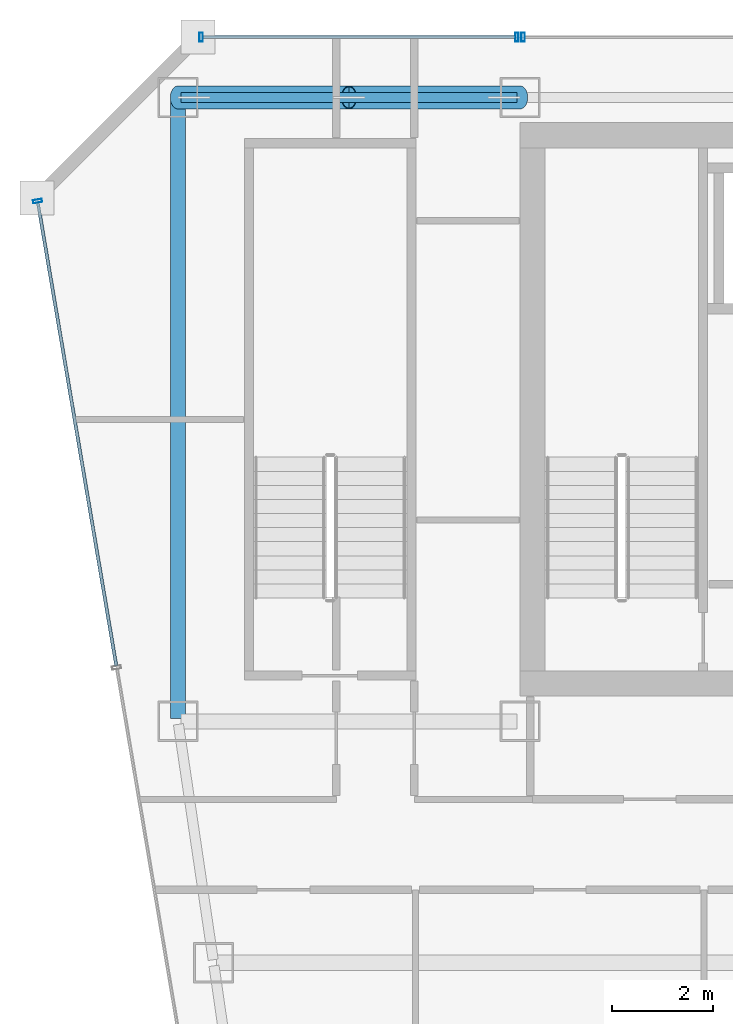
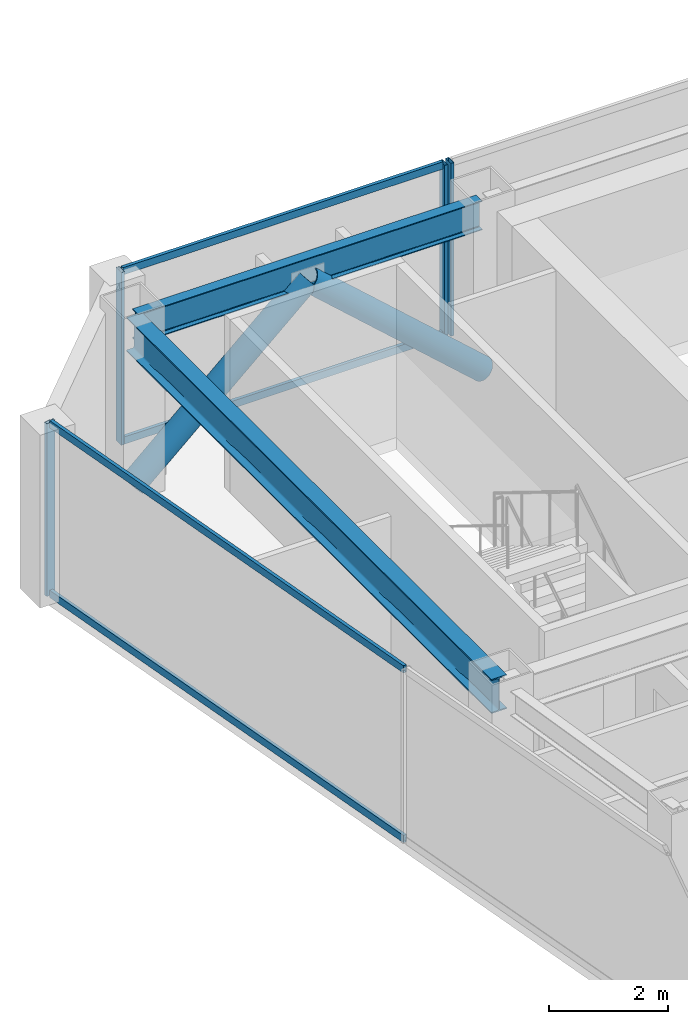
# One storey, part 23 of 36: 10 members, 2 beams, 3 elements without a shape of their own.
"""IFC4 building model written with IfcOpenShell, lengths in metres."""

from ifc_helpers import new_model, si_unit, direction, frame, origin, origin_2d, place, context, subcontext, project, spatial, hollow_rectangle, hollow_circle, i_section, extrude, material, material_profile, profile_set, type_object, element, aggregate, save


model = new_model("IFC4")

# Units and contexts
model_context = context("Model", 3, precision=1e-05, world=origin(), true_north=direction((0.0, 1.0)))
body_context = subcontext(model_context, "Body", "Model", "MODEL_VIEW")
ifc_project = project(units=[si_unit("LENGTHUNIT", "METRE"), si_unit("AREAUNIT", "SQUARE_METRE"), si_unit("VOLUMEUNIT", "CUBIC_METRE"), si_unit("PLANEANGLEUNIT", "RADIAN"), si_unit("MASSUNIT", "GRAM", prefix="KILO")], contexts=[model_context])

# Site, building, storey
site_placement = place(None, origin())
site = spatial("IfcSite", under=ifc_project, at=site_placement, CompositionType="ELEMENT")
building_placement = place(site_placement, origin())
building = spatial("IfcBuilding", under=site, at=building_placement, Name="Saevonmaru Cultural Tower", CompositionType="ELEMENT")
storey_placement = place(building_placement, frame((0.0, 0.0, 205.60009765625)))
storey = spatial("IfcBuildingStorey", under=building, at=storey_placement, Name="L47", CompositionType="ELEMENT", Elevation=205.60009765625)

# Beams
ifc_material_1 = material(Name="Steel SM355", Category="steel")
ifc_material_profile_1 = material_profile(ifc_material_1, i_section(OverallWidth=0.300048828125, OverallDepth=0.699951171875, WebThickness=0.012939453125, FlangeThickness=0.02392578125, FilletRadius=0.02587890625, at=origin_2d()), Name="H-700x300x13x24")
ifc_profile_set_1 = profile_set([ifc_material_profile_1], Name="Steel SM355")
beam_type_1 = type_object("IfcBeamType", Name="BM-G-H700", PredefinedType="BEAM", material=ifc_profile_set_1)
beam_1_placement = place(storey_placement, frame((6.800048828125, 54.739990234375, 3.199951171875), z_axis=(0.0, -1.0, 0.0), x_axis=(1.0, 0.0, 0.0)))
element("IfcBeam", 1, at=beam_1_placement, inside=storey, type_object=beam_type_1, Name="L47 Spine Transverse Girder W", PredefinedType="BEAM", context=body_context, shape_type="SweptSolid", body=[
    extrude(i_section(OverallWidth=0.300048828125, OverallDepth=0.699951171875, WebThickness=0.012939453125, FlangeThickness=0.02392578125, FilletRadius=0.02587890625, at=origin_2d()), origin(), (0.0, 0.0, 1.0), 12.280029296875),
])
ifc_material_profile_2 = material_profile(ifc_material_1, i_section(OverallWidth=0.199951171875, OverallDepth=0.60009765625, WebThickness=0.010986328125, FlangeThickness=0.01708984375, FilletRadius=0.02197265625, at=origin_2d()), Name="H-600x200x11x17")
ifc_profile_set_2 = profile_set([ifc_material_profile_2], Name="Steel SM355")
beam_type_2 = type_object("IfcBeamType", Name="BM-SP-H600", PredefinedType="SPANDREL", material=ifc_profile_set_2)
beam_2_placement = place(storey_placement, frame((6.860107421875, 54.800048828125, 3.25), z_axis=(1.0, 0.0, 0.0), x_axis=(0.0, 1.0, 0.0)))
element("IfcBeam", 2, at=beam_2_placement, inside=storey, type_object=beam_type_2, Name="L47 North Spine Girder 1", PredefinedType="SPANDREL", context=body_context, shape_type="SweptSolid", body=[
    extrude(i_section(OverallWidth=0.199951171875, OverallDepth=0.60009765625, WebThickness=0.010986328125, FlangeThickness=0.01708984375, FilletRadius=0.02197265625, at=origin_2d()), origin(), (0.0, 0.0, 1.0), 6.679931640625),
])

# Members
ifc_material_2 = material(Name="Steel SM420", Category="steel")
ifc_material_profile_3 = material_profile(ifc_material_2, hollow_circle(Radius=0.228515625, WallThickness=0.02001953125, at=origin_2d()), Name="CHS-457.2x20")
ifc_profile_set_3 = profile_set([ifc_material_profile_3], Name="Steel SM420")
member_type_1 = type_object("IfcMemberType", Name="MB-PBR-CHS457", PredefinedType="BRACE", material=ifc_profile_set_3)
member_1_placement = place(storey_placement, frame((6.800048828125, 54.800048828125, 0.02001953125), z_axis=(0.744393515062, 0.0, 0.667741188436), x_axis=(0.0, 1.0, 0.0)))
element("IfcMember", 3, at=member_1_placement, inside=storey, type_object=member_type_1, Name="L47 Perimeter Braced-Tube Diagonal WN1", PredefinedType="BRACE", context=body_context, shape_type="SweptSolid", body=[
    extrude(hollow_circle(Radius=0.228515625, WallThickness=0.02001953125, at=origin_2d()), origin(), (0.0, 0.0, 1.0), 4.5673828125),
])
member_2_placement = place(storey_placement, frame((13.60009765625, 54.800048828125, 0.02001953125), z_axis=(-0.744417347397, 0.0, 0.66771461935), x_axis=(0.0, -1.0, 0.0)))
element("IfcMember", 4, at=member_2_placement, inside=storey, type_object=member_type_1, Name="L47 Perimeter Braced-Tube Diagonal WN2", PredefinedType="BRACE", context=body_context, shape_type="SweptSolid", body=[
    extrude(hollow_circle(Radius=0.228515625, WallThickness=0.02001953125, at=origin_2d()), origin(), (0.0, 0.0, 1.0), 4.567626953125),
])

# Curtain wall, member
ifc_material_3 = material(Name="Satin Bronze Anodised Aluminium", Category="aluminium")
curtain_wall_type = type_object("IfcCurtainWallType", Name="CW-TYP-B", PredefinedType="NOTDEFINED", material=ifc_material_3)
curtain_wall_1_placement = place(storey_placement, origin())
curtain_wall_1 = element("IfcCurtainWall", 5, at=curtain_wall_1_placement, inside=storey, type_object=curtain_wall_type, Name="L47 North Spine Unitised Curtain Wall E10B", PredefinedType="NOTDEFINED")
ifc_material_profile_4 = material_profile(ifc_material_3, hollow_rectangle(XDim=0.06494140625, YDim=0.179931640625, WallThickness=0.00390625, at=origin_2d()), Name="ALU-MULL-180x65x4")
ifc_profile_set_4 = profile_set([ifc_material_profile_4], Name="Satin Bronze Anodised Aluminium")
member_type_2 = type_object("IfcMemberType", Name="ML-CW-180x65", PredefinedType="MULLION", material=ifc_profile_set_4)
member_3_placement = place(storey_placement, frame((13.659912109375, 56.0, 0.0), z_axis=(0.0, 0.0, 1.0), x_axis=(-1.0, 0.0, 0.0)))
member_3 = element("IfcMember", 6, at=member_3_placement, type_object=member_type_2, Name="CW-TW-L47-E10B mullion 4", PredefinedType="MULLION", context=body_context, shape_type="SweptSolid", body=[
    extrude(hollow_rectangle(XDim=0.06494140625, YDim=0.179931640625, WallThickness=0.00390625, at=origin_2d()), origin(), (0.0, 0.0, 1.0), 3.5498046875),
])
aggregate(curtain_wall_1, [member_3])

# Curtain wall, members
curtain_wall_2_placement = place(storey_placement, origin())
curtain_wall_2 = element("IfcCurtainWall", 7, at=curtain_wall_2_placement, inside=storey, type_object=curtain_wall_type, Name="L47 West Braced Bay Spandrel Curtain Wall E10C", PredefinedType="NOTDEFINED")
member_4_placement = place(storey_placement, frame((13.5400390625, 56.0, 0.0), z_axis=(0.0, 0.0, 1.0), x_axis=(-1.0, 0.0, 0.0)))
member_4 = element("IfcMember", 8, at=member_4_placement, type_object=member_type_2, Name="CW-TW-L47-E10C mullion 1", PredefinedType="MULLION", context=body_context, shape_type="SweptSolid", body=[
    extrude(hollow_rectangle(XDim=0.06494140625, YDim=0.179931640625, WallThickness=0.00390625, at=origin_2d()), origin(), (0.0, 0.0, 1.0), 3.5498046875),
])
member_5_placement = place(storey_placement, frame((7.260009765625, 56.0, 0.0), z_axis=(0.0, 0.0, 1.0), x_axis=(-1.0, 0.0, 0.0)))
member_5 = element("IfcMember", 9, at=member_5_placement, type_object=member_type_2, Name="CW-TW-L47-E10C mullion 2", PredefinedType="MULLION", context=body_context, shape_type="SweptSolid", body=[
    extrude(hollow_rectangle(XDim=0.06494140625, YDim=0.179931640625, WallThickness=0.00390625, at=origin_2d()), origin(), (0.0, 0.0, 1.0), 3.5498046875),
])

# Curtain wall, member
curtain_wall_3_placement = place(storey_placement, origin())
curtain_wall_3 = element("IfcCurtainWall", 10, at=curtain_wall_3_placement, inside=storey, type_object=curtain_wall_type, Name="L47 Unitised Curtain Wall E12", PredefinedType="NOTDEFINED")
member_6_placement = place(storey_placement, frame((4.010009765625, 52.74072265625, 0.0), z_axis=(0.0, 0.0, 1.0), x_axis=(0.16692169721, -0.985970155228, 0.0)))
member_6 = element("IfcMember", 11, at=member_6_placement, type_object=member_type_2, Name="CW-TW-L47-E12 mullion 1", PredefinedType="MULLION", context=body_context, shape_type="SweptSolid", body=[
    extrude(hollow_rectangle(XDim=0.06494140625, YDim=0.179931640625, WallThickness=0.00390625, at=origin_2d()), origin(), (0.0, 0.0, 1.0), 3.5498046875),
])

# Member
ifc_material_profile_5 = material_profile(ifc_material_3, hollow_rectangle(XDim=0.06494140625, YDim=0.14990234375, WallThickness=0.00390625, at=origin_2d()), Name="ALU-TRAN-150x65x4")
ifc_profile_set_5 = profile_set([ifc_material_profile_5], Name="Satin Bronze Anodised Aluminium")
member_type_3 = type_object("IfcMemberType", Name="TR-CW-150x65", PredefinedType="USERDEFINED", material=ifc_profile_set_5)
member_7_placement = place(storey_placement, frame((13.507568359375, 56.0, 0.032470703125), z_axis=(-1.0, 0.0, 0.0), x_axis=(0.0, -1.0, 0.0)))
member_7 = element("IfcMember", 12, at=member_7_placement, type_object=member_type_3, Name="CW-TW-L47-E10C transom 1.1", ObjectType="TRANSOM", PredefinedType="USERDEFINED", context=body_context, shape_type="SweptSolid", body=[
    extrude(hollow_rectangle(XDim=0.06494140625, YDim=0.14990234375, WallThickness=0.00390625, at=origin_2d()), origin(), (0.0, 0.0, 1.0), 6.215087890625),
])

member_8_placement = place(storey_placement, frame((13.507568359375, 56.0, 3.517333984375), z_axis=(-1.0, 0.0, 0.0), x_axis=(0.0, -1.0, 0.0)))
member_8 = element("IfcMember", 13, at=member_8_placement, type_object=member_type_3, Name="CW-TW-L47-E10C transom 1.2", ObjectType="TRANSOM", PredefinedType="USERDEFINED", context=body_context, shape_type="SweptSolid", body=[
    extrude(hollow_rectangle(XDim=0.06494140625, YDim=0.14990234375, WallThickness=0.00390625, at=origin_2d()), origin(), (0.0, 0.0, 1.0), 6.215087890625),
])

aggregate(curtain_wall_2, [member_4, member_5, member_7, member_8])

member_9_placement = place(storey_placement, frame((4.015380859375, 52.708740234375, 0.032470703125), z_axis=(0.166921263871, -0.985970228591, 0.0), x_axis=(0.985970228591, 0.166921263871, 0.0)))
member_9 = element("IfcMember", 14, at=member_9_placement, type_object=member_type_3, Name="CW-TW-L47-E12 transom 1.1", ObjectType="TRANSOM", PredefinedType="USERDEFINED", context=body_context, shape_type="SweptSolid", body=[
    extrude(hollow_rectangle(XDim=0.06494140625, YDim=0.14990234375, WallThickness=0.00390625, at=origin_2d()), origin(), (0.0, 0.0, 1.0), 9.33740234375),
])

member_10_placement = place(storey_placement, frame((4.015380859375, 52.708740234375, 3.517333984375), z_axis=(0.166921263871, -0.985970228591, 0.0), x_axis=(0.985970228591, 0.166921263871, 0.0)))
member_10 = element("IfcMember", 15, at=member_10_placement, type_object=member_type_3, Name="CW-TW-L47-E12 transom 1.2", ObjectType="TRANSOM", PredefinedType="USERDEFINED", context=body_context, shape_type="SweptSolid", body=[
    extrude(hollow_rectangle(XDim=0.06494140625, YDim=0.14990234375, WallThickness=0.00390625, at=origin_2d()), origin(), (0.0, 0.0, 1.0), 9.33740234375),
])

aggregate(curtain_wall_3, [member_6, member_9, member_10])

save(model, "model.ifc")
